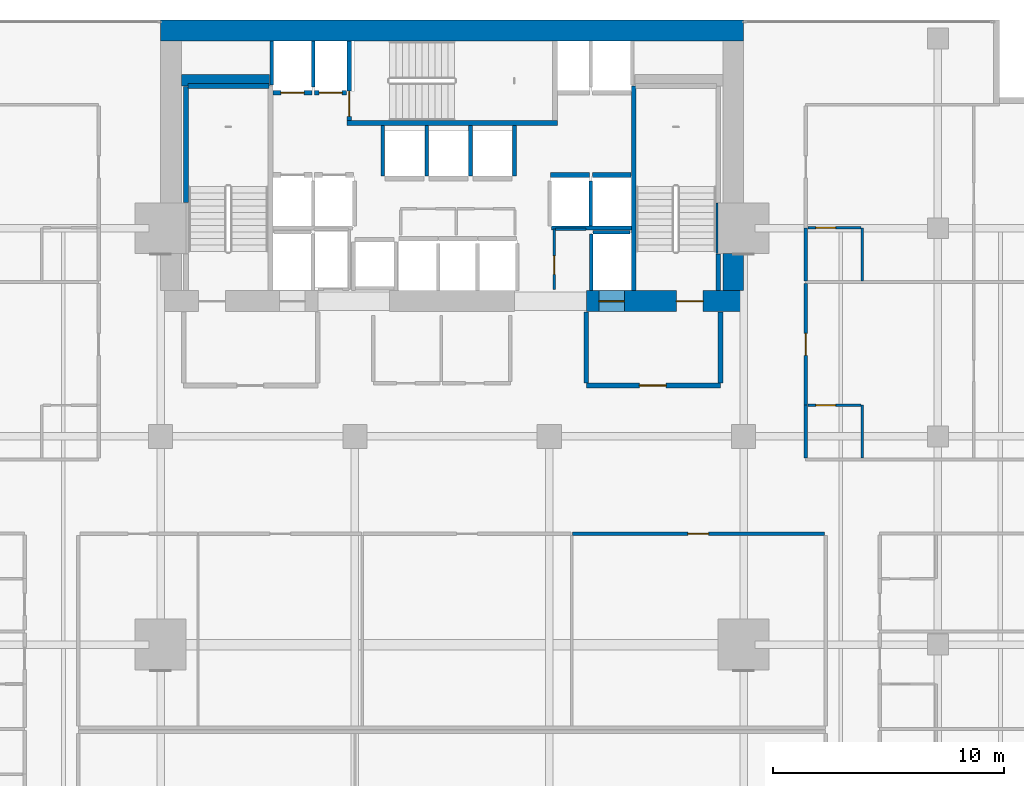
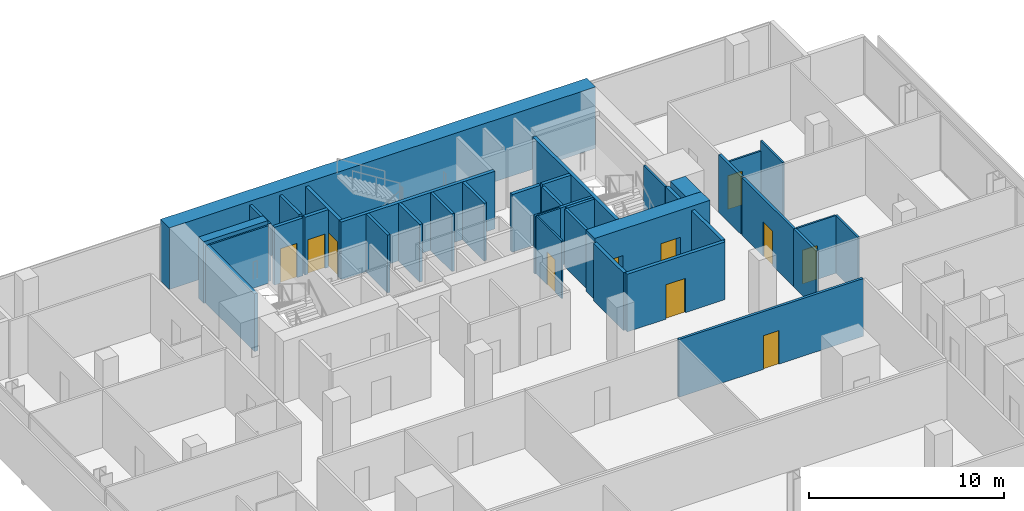
# One storey, part 37 of 40: 38 walls, 11 doors, 11 openings.
"""IFC4 building model written with IfcOpenShell, lengths in metres."""

import ifcopenshell
import ifcopenshell.guid

model = None  # the IFC model being written
_history = None  # IfcOwnerHistory: only IFC2X3 demands one
_inside = {}  # id of a spatial element -> (the spatial element, [elements in it])
_under = {}  # id of a project, library or spatial element -> (it, [spatial elements below it])
_declared = {}  # id of a project -> (the project, [libraries it declares])
_typed = {}  # id of a type object -> (the type object, [elements of that type])
_made_of = {}  # id of a material, layer set ... -> (it, [elements and type objects made of it])


def new_model(schema):
    """Start an empty IFC model of exactly this schema.

    Asked for "IFC4X3", IfcOpenShell would pick the latest addendum, in which some entities
    have other attributes; the version numbers below select the first issue.
    IFC2X3 requires an IfcOwnerHistory on every rooted entity: one is made here for all.
    """
    global model, _history
    if schema == "IFC4X3":
        model = ifcopenshell.file(schema_version=(4, 3, 0, 0))
    else:
        model = ifcopenshell.file(schema=schema)
    _inside.clear()
    _under.clear()
    _declared.clear()
    _typed.clear()
    _made_of.clear()
    _history = None
    if model.schema == "IFC2X3":
        org = make("IfcOrganization", Name="unknown")
        user = make(
            "IfcPersonAndOrganization",
            ThePerson=make("IfcPerson", FamilyName="unknown"),
            TheOrganization=org,
        )
        app = make(
            "IfcApplication",
            ApplicationDeveloper=org,
            Version="unknown",
            ApplicationFullName="unknown",
            ApplicationIdentifier="unknown",
        )
        _history = make(
            "IfcOwnerHistory",
            OwningUser=user,
            OwningApplication=app,
            ChangeAction="ADDED",
            CreationDate=0,
        )
    return model


def make(cls, **values):
    """One entity of the class cls with the attributes given. An attribute that is None is left unset."""
    return model.create_entity(
        cls, **{name: value for name, value in values.items() if value is not None}
    )


def rooted(cls, **values):
    """An entity with a GlobalId (a new one), such as an element, a storey or a relation."""
    return make(cls, GlobalId=ifcopenshell.guid.new(), OwnerHistory=_history, **values)


def si_unit(unit_type, name, prefix=None):
    """IfcSIUnit, for example si_unit("LENGTHUNIT", "METRE", prefix="MILLI")."""
    return make("IfcSIUnit", UnitType=unit_type, Prefix=prefix, Name=name)


def assignment(units):
    """IfcUnitAssignment: the units of a project."""
    return None if units is None else make("IfcUnitAssignment", Units=units)


def point(xyz):
    """IfcCartesianPoint."""
    return None if xyz is None else make("IfcCartesianPoint", Coordinates=xyz)


def direction(xyz):
    """IfcDirection."""
    return None if xyz is None else make("IfcDirection", DirectionRatios=xyz)


def frame(location, z_axis=None, x_axis=None):
    """IfcAxis2Placement3D, a coordinate frame: its origin and axes. An axis left out is left unset."""
    return make(
        "IfcAxis2Placement3D",
        Location=point(location),
        Axis=direction(z_axis),
        RefDirection=direction(x_axis),
    )


def frame_2d(location, x_axis=None):
    """IfcAxis2Placement2D, a coordinate frame in the plane: its origin and x axis."""
    return make(
        "IfcAxis2Placement2D", Location=point(location), RefDirection=direction(x_axis)
    )


def origin():
    """The frame at (0, 0, 0) with its axes left unset."""
    return frame((0.0, 0.0, 0.0))


def place(relative_to, where):
    """IfcLocalPlacement: puts the frame where relative to a parent placement (None: the world)."""
    return make(
        "IfcLocalPlacement", PlacementRelTo=relative_to, RelativePlacement=where
    )


def context(
    kind, dimensions, precision=None, world=None, true_north=None, identifier=None
):
    """IfcGeometricRepresentationContext, for example the 3D "Model" context."""
    return make(
        "IfcGeometricRepresentationContext",
        ContextIdentifier=identifier,
        ContextType=kind,
        CoordinateSpaceDimension=dimensions,
        Precision=precision,
        WorldCoordinateSystem=world,
        TrueNorth=true_north,
    )


def subcontext(parent, identifier, kind, view, scale=None):
    """IfcGeometricRepresentationSubContext, for example "Body" below "Model"."""
    return make(
        "IfcGeometricRepresentationSubContext",
        ContextIdentifier=identifier,
        ContextType=kind,
        ParentContext=parent,
        TargetScale=scale,
        TargetView=view,
    )


def project(units=None, contexts=None):
    """IfcProject with its units and contexts."""
    return rooted(
        "IfcProject",
        Name="project",
        RepresentationContexts=contexts,
        UnitsInContext=assignment(units),
    )


def spatial(cls, under=None, at=None, **own):
    """A site, building, storey or space (cls), placed at a placement, below another one or the project."""
    s = rooted(cls, ObjectPlacement=at, **own)
    if under is not None:
        _under.setdefault(under.id(), (under, []))[1].append(s)
    return s


def profile(cls, at=None, kind="AREA", **sizes):
    """A parametric profile (cls). Its sizes go by their IFC names, for example OverallWidth=200.0."""
    return make(cls, ProfileType=kind, Position=at, **sizes)


def rectangle(**sizes):
    """IfcRectangleProfileDef."""
    return profile("IfcRectangleProfileDef", **sizes)


def extrude(swept, where, along, depth):
    """IfcExtrudedAreaSolid: the profile swept, set in the frame where, extruded along a direction by depth."""
    return make(
        "IfcExtrudedAreaSolid",
        SweptArea=swept,
        Position=where,
        ExtrudedDirection=direction(along),
        Depth=depth,
    )


def shape(context_of_items, identifier, shape_type, items):
    """IfcShapeRepresentation: the items that make up one representation, for example the "Body"."""
    return make(
        "IfcShapeRepresentation",
        ContextOfItems=context_of_items,
        RepresentationIdentifier=identifier,
        RepresentationType=shape_type,
        Items=items,
    )


def material(Name=None, Category=None):
    """IfcMaterial."""
    return make("IfcMaterial", Name=Name, Category=Category)


def layer(
    of_material, thickness, ventilated=None, Name=None, Category=None, Priority=None
):
    """IfcMaterialLayer: one layer of a wall or slab, of a material (None: an air gap)."""
    return make(
        "IfcMaterialLayer",
        Material=of_material,
        LayerThickness=thickness,
        IsVentilated=ventilated,
        Name=Name,
        Category=Category,
        Priority=Priority,
    )


def layer_set(layers, Name=None):
    """IfcMaterialLayerSet."""
    return make("IfcMaterialLayerSet", MaterialLayers=layers, LayerSetName=Name)


def made_of(thing, what):
    """Note that an element or type object is made of a material, layer set ...; save() writes the relation."""
    if what is not None:
        _made_of.setdefault(what.id(), (what, []))[1].append(thing)
    return thing


def type_object(cls, material=None, **own):
    """A type object (cls), such as IfcWallType, which elements share."""
    return made_of(rooted(cls, **own), material)


def element(
    cls,
    number,
    at=None,
    inside=None,
    cuts=None,
    type_object=None,
    material=None,
    context=None,
    identifier="Body",
    shape_type=None,
    held_by="IfcProductDefinitionShape",
    body=None,
    shapes=None,
    **own,
):
    """One element of the class cls, such as IfcWall. Its Tag is "e" and its number.

    at: its placement. inside: the storey or other place that contains it. cuts: it is an
    opening in that element (IfcRelVoidsElement). A single representation is given by context,
    identifier, shape_type and body (its items); several are given by shapes. held_by: the class
    of the entity that holds the representations. save() writes the other relations.
    """
    e = rooted(cls, Tag="e%d" % number, ObjectPlacement=at, **own)
    if body is not None:
        shapes = [shape(context, identifier, shape_type, body)]
    if shapes is not None:
        e.Representation = make(held_by, Representations=shapes)
    if inside is not None:
        _inside.setdefault(inside.id(), (inside, []))[1].append(e)
    if cuts is not None:
        rooted(
            "IfcRelVoidsElement", RelatingBuildingElement=cuts, RelatedOpeningElement=e
        )
    if type_object is not None:
        _typed.setdefault(type_object.id(), (type_object, []))[1].append(e)
    return made_of(e, material)


def fill(opening, filler):
    """IfcRelFillsElement: the door or window that sits in an opening."""
    return rooted(
        "IfcRelFillsElement",
        RelatingOpeningElement=opening,
        RelatedBuildingElement=filler,
    )


def aggregate(whole, parts):
    """IfcRelAggregates: a whole, such as a stair, and the parts it consists of."""
    return rooted("IfcRelAggregates", RelatingObject=whole, RelatedObjects=parts)


def save(model, path):
    """Write the relations noted so far, then the file.

    IfcRelAggregates (storeys below a building ...), IfcRelContainedInSpatialStructure (elements
    in a storey), IfcRelDefinesByType, IfcRelAssociatesMaterial and IfcRelDeclares: one each for
    every whole, place, type object, material and project.
    """
    for whole, parts in _under.values():
        aggregate(whole, parts)
    for where, things in _inside.values():
        rooted(
            "IfcRelContainedInSpatialStructure",
            RelatedElements=things,
            RelatingStructure=where,
        )
    for kind, things in _typed.values():
        rooted("IfcRelDefinesByType", RelatedObjects=things, RelatingType=kind)
    for what, things in _made_of.values():
        rooted("IfcRelAssociatesMaterial", RelatedObjects=things, RelatingMaterial=what)
    for by, libraries in _declared.values():
        rooted("IfcRelDeclares", RelatingContext=by, RelatedDefinitions=libraries)
    model.write(path)


model = new_model("IFC4")

# Units and contexts
model_context = context("Model", 3, precision=1e-05, world=origin(), true_north=direction((0.0, 1.0)))
body_context = subcontext(model_context, "Body", "Model", "MODEL_VIEW")
ifc_project = project(units=[si_unit("LENGTHUNIT", "METRE"), si_unit("AREAUNIT", "SQUARE_METRE"), si_unit("VOLUMEUNIT", "CUBIC_METRE"), si_unit("PLANEANGLEUNIT", "RADIAN"), si_unit("MASSUNIT", "GRAM", prefix="KILO")], contexts=[model_context])

# Site, building, storey
site_placement = place(None, origin())
site = spatial("IfcSite", under=ifc_project, at=site_placement, CompositionType="ELEMENT")
building_placement = place(site_placement, origin())
building = spatial("IfcBuilding", under=site, at=building_placement, Name="Maruvema Waterfront Hotel and Observation Tower", CompositionType="ELEMENT")
storey_placement = place(building_placement, frame((0.0, 0.0, 38.5)))
storey = spatial("IfcBuildingStorey", under=building, at=storey_placement, Name="L08", CompositionType="ELEMENT", Elevation=38.5)

# Wall, opening, door
ifc_material_1 = material(Name="Twin-stud acoustic gypsum drywall", Category="gypsum")
ifc_layer_1 = layer(ifc_material_1, 0.14990234375, Name="Acoustic Corridor and Suite Demising Wall 150 mm")
ifc_layer_set_1 = layer_set([ifc_layer_1], Name="Twin-stud acoustic gypsum drywall")
wall_type_1 = type_object("IfcWallType", Name="Acoustic Corridor and Suite Demising Wall 150 mm", PredefinedType="PARTITIONING", material=ifc_layer_set_1)
wall_1_placement = place(storey_placement, frame((42.998046875, 31.800048828125, 0.0), z_axis=(0.0, 0.0, 1.0), x_axis=(1.0, 0.0, 0.0)))
wall_1 = element("IfcWall", 1, at=wall_1_placement, inside=storey, type_object=wall_type_1, Name="L08 L08-INTN Front 4 031", PredefinedType="PARTITIONING", context=body_context, shape_type="SweptSolid", body=[
    extrude(rectangle(XDim=10.891845703125, YDim=0.14990234375, at=frame_2d((5.44580078125, 0.0))), origin(), (0.0, 0.0, 1.0), 3.610107421875),
])
opening_1_placement = place(wall_1_placement, frame((4.99609375, 0.0, 0.0)))
opening_1 = element("IfcOpeningElement", 2, at=opening_1_placement, cuts=wall_1, Name="Opening DR-090", PredefinedType="OPENING", context=body_context, shape_type="SweptSolid", body=[
    extrude(rectangle(XDim=0.89990234375, YDim=2.10009765625, at=frame_2d((0.449951171875, 1.050048828125))), frame((0.0, 0.0849609375, 0.0), z_axis=(0.0, -1.0, 0.0), x_axis=(1.0, 0.0, 0.0)), (0.0, 0.0, 1.0), 0.169921875),
])
ifc_material_2 = material(Name="Solid-core lacquered timber leaf", Category="wood")
door_type_1 = type_object("IfcDoorType", Name="Accessible Toilet and Room Door 900x2100 mm", OperationType="NOTDEFINED", PredefinedType="DOOR", material=ifc_material_2)
door_1_placement = place(opening_1_placement, origin())
door_1 = element("IfcDoor", 3, at=door_1_placement, inside=storey, type_object=door_type_1, Name="L08 Housekeeping Linen Room Door", OperationType="SINGLE_SWING_RIGHT", OverallHeight=2.10009765625, OverallWidth=0.89990234375, PredefinedType="DOOR", context=body_context, shape_type="SweptSolid", body=[
    extrude(rectangle(XDim=0.89990234375, YDim=2.10009765625, at=frame_2d((0.449951171875, 1.050048828125))), frame((0.0, 0.02490234375, 0.0), z_axis=(0.0, -1.0, 0.0), x_axis=(1.0, 0.0, 0.0)), (0.0, 0.0, 1.0), 0.050048828125),
])
fill(opening_1, door_1)

# Wall
wall_2_placement = place(storey_placement, frame((53.080078125, 35.06005859375, 0.0), z_axis=(0.0, 0.0, 1.0), x_axis=(0.0, 1.0, 0.0)))
element("IfcWall", 4, at=wall_2_placement, inside=storey, type_object=wall_type_1, Name="L08 Bath L08-NE1 Wall 132", PredefinedType="PARTITIONING", context=body_context, shape_type="SweptSolid", body=[
    extrude(rectangle(XDim=2.2900390625, YDim=0.14990234375, at=frame_2d((1.14501953125, 0.0))), origin(), (0.0, 0.0, 1.0), 3.610107421875),
])

# Wall, opening, door
wall_3_placement = place(storey_placement, frame((53.080078125, 37.35009765625, 0.0), z_axis=(0.0, 0.0, 1.0), x_axis=(0.0, 1.0, 0.0)))
wall_3 = element("IfcWall", 5, at=wall_3_placement, inside=storey, type_object=wall_type_1, Name="L08 Room L08-NE1 Corridor Wall 133", PredefinedType="PARTITIONING", context=body_context, shape_type="SweptSolid", body=[
    extrude(rectangle(XDim=5.2587890625, YDim=0.14990234375, at=frame_2d((2.62939453125, 0.0))), origin(), (0.0, 0.0, 1.0), 3.610107421875),
])
opening_2_placement = place(wall_3_placement, frame((2.154296875, 0.0, 0.0)))
opening_2 = element("IfcOpeningElement", 6, at=opening_2_placement, cuts=wall_3, Name="Opening DR-095", PredefinedType="OPENING", context=body_context, shape_type="SweptSolid", body=[
    extrude(rectangle(XDim=0.949951171875, YDim=2.14990234375, at=frame_2d((0.47509765625, 1.074951171875))), frame((0.0, 0.0849609375, 0.0), z_axis=(0.0, -1.0, 0.0), x_axis=(1.0, 0.0, 0.0)), (0.0, 0.0, 1.0), 0.169921875),
])
ifc_material_3 = material(Name="Acoustic solid-core hardwood timber leaf", Category="wood")
door_type_2 = type_object("IfcDoorType", Name="Guestroom Entrance Fire Door 950x2150 mm", OperationType="NOTDEFINED", PredefinedType="DOOR", material=ifc_material_3)
door_2_placement = place(opening_2_placement, frame((0.949951171875, 0.0, 0.0), z_axis=(0.0, 0.0, 1.0), x_axis=(-1.0, 0.0, 0.0)))
door_2 = element("IfcDoor", 7, at=door_2_placement, inside=storey, type_object=door_type_2, Name="L08 Room L08-NE1 Entrance Door", OperationType="SINGLE_SWING_LEFT", OverallHeight=2.14990234375, OverallWidth=0.949951171875, PredefinedType="DOOR", context=body_context, shape_type="SweptSolid", body=[
    extrude(rectangle(XDim=0.949951171875, YDim=2.14990234375, at=frame_2d((0.47509765625, 1.074951171875))), frame((0.0, 0.02490234375, 0.0), z_axis=(0.0, -1.0, 0.0), x_axis=(1.0, 0.0, 0.0)), (0.0, 0.0, 1.0), 0.050048828125),
])
fill(opening_2, door_2)

# Walls
wall_4_placement = place(storey_placement, frame((53.080078125, 42.728759765625, 0.0), z_axis=(0.0, 0.0, 1.0), x_axis=(0.0, 1.0, 0.0)))
element("IfcWall", 8, at=wall_4_placement, inside=storey, type_object=wall_type_1, Name="L08 Bath L08-NE2 Wall 144", PredefinedType="PARTITIONING", context=body_context, shape_type="SweptSolid", body=[
    extrude(rectangle(XDim=2.2900390625, YDim=0.14990234375, at=frame_2d((1.14501953125, 0.0))), origin(), (0.0, 0.0, 1.0), 3.610107421875),
])
ifc_material_4 = material(Name="Precast concrete C45/55", Category="concrete")
ifc_layer_2 = layer(ifc_material_4, 0.199951171875, Name="Core Shaft and Stairwell Enclosure Wall 200 mm")
ifc_layer_set_2 = layer_set([ifc_layer_2], Name="Precast concrete C45/55")
wall_type_2 = type_object("IfcWallType", Name="Core Shaft and Stairwell Enclosure Wall 200 mm", PredefinedType="SOLIDWALL", material=ifc_layer_set_2)
wall_5_placement = place(storey_placement, frame((26.300048828125, 46.1201171875, 0.0), z_axis=(0.0, 0.0, 1.0), x_axis=(0.0, 1.0, 0.0)))
element("IfcWall", 9, at=wall_5_placement, inside=storey, type_object=wall_type_2, Name="L08 Stairwell ST-01 Shaft Lining Wall", PredefinedType="SOLIDWALL", context=body_context, shape_type="SweptSolid", body=[
    extrude(rectangle(XDim=5.0, YDim=0.199951171875, at=frame_2d((2.5, 0.0))), origin(), (0.0, 0.0, 1.0), 3.610107421875),
])
wall_6_placement = place(storey_placement, frame((26.3798828125, 51.14990234375, 0.0), z_axis=(0.0, 0.0, 1.0), x_axis=(1.0, 0.0, 0.0)))
element("IfcWall", 10, at=wall_6_placement, inside=storey, type_object=wall_type_2, Name="L08 Stairwell ST-01 Shaft Lining Wall", PredefinedType="SOLIDWALL", context=body_context, shape_type="SweptSolid", body=[
    extrude(rectangle(XDim=3.5, YDim=0.199951171875, at=frame_2d((1.75, 0.0))), origin(), (0.0, 0.0, 1.0), 3.610107421875),
])
wall_7_placement = place(storey_placement, frame((33.25, 49.550048828125, 0.0), z_axis=(0.0, 0.0, 1.0), x_axis=(1.0, 0.0, 0.0)))
element("IfcWall", 11, at=wall_7_placement, inside=storey, type_object=wall_type_2, Name="L08 Stairwell ST-02 Shaft Wall", PredefinedType="SOLIDWALL", context=body_context, shape_type="SweptSolid", body=[
    extrude(rectangle(XDim=9.10009765625, YDim=0.199951171875, at=frame_2d((4.550048828125, 0.0))), origin(), (0.0, 0.0, 1.0), 3.610107421875),
])

# Wall, opening, door
wall_8_placement = place(storey_placement, frame((33.35009765625, 49.64990234375, 0.0), z_axis=(0.0, 0.0, 1.0), x_axis=(0.0, 1.0, 0.0)))
wall_8 = element("IfcWall", 12, at=wall_8_placement, inside=storey, type_object=wall_type_2, Name="L08 Stairwell ST-02 Shaft Wall", PredefinedType="SOLIDWALL", context=body_context, shape_type="SweptSolid", body=[
    extrude(rectangle(XDim=3.4501953125, YDim=0.199951171875, at=frame_2d((1.72509765625, 0.0))), origin(), (0.0, 0.0, 1.0), 3.610107421875),
])
opening_3_placement = place(wall_8_placement, frame((0.179931640625, 0.0, 0.0)))
opening_3 = element("IfcOpeningElement", 13, at=opening_3_placement, cuts=wall_8, Name="Opening SD-02", PredefinedType="OPENING", context=body_context, shape_type="SweptSolid", body=[
    extrude(rectangle(XDim=1.10009765625, YDim=2.14990234375, at=frame_2d((0.550048828125, 1.074951171875))), frame((0.0, 0.10986328125, 0.0), z_axis=(0.0, -1.0, 0.0), x_axis=(1.0, 0.0, 0.0)), (0.0, 0.0, 1.0), 0.219970703125),
])
ifc_material_5 = material(Name="Fire-rated galvanised steel leaf", Category="steel")
door_type_3 = type_object("IfcDoorType", Name="Central Exit Stair Fire Door 1100x2150 mm", OperationType="NOTDEFINED", PredefinedType="DOOR", material=ifc_material_5)
door_3_placement = place(opening_3_placement, frame((1.10009765625, 0.0, 0.0), z_axis=(0.0, 0.0, 1.0), x_axis=(-1.0, 0.0, 0.0)))
door_3 = element("IfcDoor", 14, at=door_3_placement, inside=storey, type_object=door_type_3, Name="L08 Exit Stair ST-02 Fire Door", OperationType="SINGLE_SWING_LEFT", OverallHeight=2.14990234375, OverallWidth=1.10009765625, PredefinedType="DOOR", context=body_context, shape_type="SweptSolid", body=[
    extrude(rectangle(XDim=1.10009765625, YDim=2.14990234375, at=frame_2d((0.550048828125, 1.074951171875))), frame((0.0, 0.02490234375, 0.0), z_axis=(0.0, -1.0, 0.0), x_axis=(1.0, 0.0, 0.0)), (0.0, 0.0, 1.0), 0.050048828125),
])
fill(opening_3, door_3)

# Walls
wall_9_placement = place(storey_placement, frame((45.64990234375, 42.300048828125, 0.0), z_axis=(0.0, 0.0, 1.0), x_axis=(0.0, 1.0, 0.0)))
element("IfcWall", 15, at=wall_9_placement, inside=storey, type_object=wall_type_2, Name="L08 Stairwell ST-03 West Shaft Wall", PredefinedType="SOLIDWALL", context=body_context, shape_type="SweptSolid", body=[
    extrude(rectangle(XDim=8.849853515625, YDim=0.199951171875, at=frame_2d((4.4248046875, 0.0))), origin(), (0.0, 0.0, 1.0), 3.610107421875),
])
wall_10_placement = place(storey_placement, frame((49.300048828125, 42.300048828125, 0.0), z_axis=(0.0, 0.0, 1.0), x_axis=(0.0, 1.0, 0.0)))
element("IfcWall", 16, at=wall_10_placement, inside=storey, type_object=wall_type_2, Name="L08 Stairwell ST-03 Shaft Lining Wall", PredefinedType="SOLIDWALL", context=body_context, shape_type="SweptSolid", body=[
    extrude(rectangle(XDim=1.579833984375, YDim=0.199951171875, at=frame_2d((0.7900390625, 0.0))), origin(), (0.0, 0.0, 1.0), 3.610107421875),
])

# Wall, opening, door
wall_11_placement = place(storey_placement, frame((30.06005859375, 50.85009765625, 0.0), z_axis=(0.0, 0.0, 1.0), x_axis=(1.0, 0.0, 0.0)))
wall_11 = element("IfcWall", 17, at=wall_11_placement, inside=storey, type_object=wall_type_2, Name="L08 Lift LF-03 Hoistway Front Wall", PredefinedType="SOLIDWALL", context=body_context, shape_type="SweptSolid", body=[
    extrude(rectangle(XDim=1.679931640625, YDim=0.199951171875, at=frame_2d((0.83984375, 0.0))), origin(), (0.0, 0.0, 1.0), 3.610107421875),
])
opening_4_placement = place(wall_11_placement, frame((0.340087890625, 0.0, 0.0)))
opening_4 = element("IfcOpeningElement", 18, at=opening_4_placement, cuts=wall_11, Name="Opening LD-01", PredefinedType="OPENING", context=body_context, shape_type="SweptSolid", body=[
    extrude(rectangle(XDim=1.0, YDim=2.14990234375, at=frame_2d((0.5, 1.074951171875))), frame((0.0, 0.10986328125, 0.0), z_axis=(0.0, -1.0, 0.0), x_axis=(1.0, 0.0, 0.0)), (0.0, 0.0, 1.0), 0.219970703125),
])
ifc_material_6 = material(Name="Brushed stainless steel Grade 316", Category="steel")
door_type_4 = type_object("IfcDoorType", Name="Passenger Lift Sliding Landing Door 1000x2150 mm", OperationType="SLIDING_TO_LEFT", PredefinedType="DOOR", material=ifc_material_6)
door_4_placement = place(opening_4_placement, frame((1.0, 0.0, 0.0), z_axis=(0.0, 0.0, 1.0), x_axis=(-1.0, 0.0, 0.0)))
door_4 = element("IfcDoor", 19, at=door_4_placement, inside=storey, type_object=door_type_4, Name="L08 Lift LF-03 Sliding Landing Door", OperationType="SLIDING_TO_LEFT", OverallHeight=2.14990234375, OverallWidth=1.0, PredefinedType="DOOR", context=body_context, shape_type="SweptSolid", body=[
    extrude(rectangle(XDim=1.0, YDim=2.14990234375, at=frame_2d((0.5, 1.074951171875))), frame((0.0, 0.02490234375, 0.0), z_axis=(0.0, -1.0, 0.0), x_axis=(1.0, 0.0, 0.0)), (0.0, 0.0, 1.0), 0.050048828125),
])
fill(opening_4, door_4)

wall_12_placement = place(storey_placement, frame((31.860107421875, 50.85009765625, 0.0), z_axis=(0.0, 0.0, 1.0), x_axis=(1.0, 0.0, 0.0)))
wall_12 = element("IfcWall", 20, at=wall_12_placement, inside=storey, type_object=wall_type_2, Name="L08 Lift LF-04 Hoistway Front Wall", PredefinedType="SOLIDWALL", context=body_context, shape_type="SweptSolid", body=[
    extrude(rectangle(XDim=1.3798828125, YDim=0.199951171875, at=frame_2d((0.68994140625, 0.0))), origin(), (0.0, 0.0, 1.0), 3.610107421875),
])
opening_5_placement = place(wall_12_placement, frame((0.18994140625, 0.0, 0.0)))
opening_5 = element("IfcOpeningElement", 21, at=opening_5_placement, cuts=wall_12, Name="Opening LD-01", PredefinedType="OPENING", context=body_context, shape_type="SweptSolid", body=[
    extrude(rectangle(XDim=1.0, YDim=2.14990234375, at=frame_2d((0.5, 1.074951171875))), frame((0.0, 0.10986328125, 0.0), z_axis=(0.0, -1.0, 0.0), x_axis=(1.0, 0.0, 0.0)), (0.0, 0.0, 1.0), 0.219970703125),
])
door_5_placement = place(opening_5_placement, frame((1.0, 0.0, 0.0), z_axis=(0.0, 0.0, 1.0), x_axis=(-1.0, 0.0, 0.0)))
door_5 = element("IfcDoor", 22, at=door_5_placement, inside=storey, type_object=door_type_4, Name="L08 Lift LF-04 Sliding Landing Door", OperationType="SLIDING_TO_LEFT", OverallHeight=2.14990234375, OverallWidth=1.0, PredefinedType="DOOR", context=body_context, shape_type="SweptSolid", body=[
    extrude(rectangle(XDim=1.0, YDim=2.14990234375, at=frame_2d((0.5, 1.074951171875))), frame((0.0, 0.02490234375, 0.0), z_axis=(0.0, -1.0, 0.0), x_axis=(1.0, 0.0, 0.0)), (0.0, 0.0, 1.0), 0.050048828125),
])
fill(opening_5, door_5)

# Walls
for number, where, z_axis, x_axis, name in (
    (23, (42.06005859375, 47.300048828125, 0.0), (0.0, 0.0, 1.0), (1.0, 0.0, 0.0), "L08 Lift LF-05 Hoistway Front Wall"),
    (24, (43.860107421875, 47.300048828125, 0.0), (0.0, 0.0, 1.0), (1.0, 0.0, 0.0), "L08 Lift LF-06 Hoistway Front Wall"),
):
    element("IfcWall", number, at=place(storey_placement, frame(where, z_axis=z_axis, x_axis=x_axis)), inside=storey, type_object=wall_type_2, Name=name, PredefinedType="SOLIDWALL", context=body_context, shape_type="SweptSolid", body=[
        extrude(rectangle(XDim=1.679931640625, YDim=0.199951171875, at=frame_2d((0.83984375, 0.0))), origin(), (0.0, 0.0, 1.0), 3.610107421875),
    ])
ifc_material_7 = material(Name="Concrete C70/85", Category="concrete")
ifc_layer_3 = layer(ifc_material_7, 0.5, Name="Core Shear Wall 500 mm")
ifc_layer_set_3 = layer_set([ifc_layer_3], Name="Concrete C70/85")
wall_type_3 = type_object("IfcWallType", Name="Core Shear Wall 500 mm", PredefinedType="SHEAR", material=ifc_layer_set_3)
wall_13_placement = place(storey_placement, frame((26.10009765625, 51.39990234375, 0.0), z_axis=(0.0, 0.0, 1.0), x_axis=(1.0, 0.0, 0.0)))
element("IfcWall", 25, at=wall_13_placement, inside=storey, type_object=wall_type_3, Name="L08 Internal Core Shear Wall NW 500 mm", PredefinedType="SHEAR", context=body_context, shape_type="SweptSolid", body=[
    extrude(rectangle(XDim=3.7998046875, YDim=0.5, at=frame_2d((1.89990234375, 0.0))), origin(), (0.0, 0.0, 1.0), 3.85009765625),
])
ifc_material_8 = material(Name="Concrete C80/95", Category="concrete")
ifc_layer_4 = layer(ifc_material_8, 0.89990234375, Name="Core Shear Wall 900 mm")
ifc_layer_set_4 = layer_set([ifc_layer_4], Name="Concrete C80/95")
wall_type_4 = type_object("IfcWallType", Name="Core Shear Wall 900 mm", PredefinedType="SHEAR", material=ifc_layer_set_4)
wall_14_placement = place(storey_placement, frame((25.199951171875, 53.550048828125, 0.0), z_axis=(0.0, 0.0, 1.0), x_axis=(1.0, 0.0, 0.0)))
element("IfcWall", 26, at=wall_14_placement, inside=storey, type_object=wall_type_4, Name="L08 North Core Shear Wall", PredefinedType="SHEAR", context=body_context, shape_type="SweptSolid", body=[
    extrude(rectangle(XDim=25.199951171875, YDim=0.89990234375, at=frame_2d((12.60009765625, 0.0))), origin(), (0.0, 0.0, 1.0), 3.85009765625),
])

# Wall, openings, doors
wall_15_placement = place(storey_placement, frame((43.60009765625, 41.85009765625, 0.0), z_axis=(0.0, 0.0, 1.0), x_axis=(1.0, 0.0, 0.0)))
wall_15 = element("IfcWall", 27, at=wall_15_placement, inside=storey, type_object=wall_type_4, Name="L08 South-East Core Shear Wall", PredefinedType="SHEAR", context=body_context, shape_type="SweptSolid", body=[
    extrude(rectangle(XDim=6.7998046875, YDim=0.89990234375, at=frame_2d((3.39990234375, 0.0))), origin(), (0.0, 0.0, 1.0), 3.85009765625),
])
opening_6_placement = place(wall_15_placement, frame((3.89990234375, 0.0, 0.0)))
opening_6 = element("IfcOpeningElement", 28, at=opening_6_placement, cuts=wall_15, Name="Opening SD-01", PredefinedType="OPENING", context=body_context, shape_type="SweptSolid", body=[
    extrude(rectangle(XDim=1.14990234375, YDim=2.14990234375, at=frame_2d((0.574951171875, 1.074951171875))), frame((0.0, 0.4599609375, 0.0), z_axis=(0.0, -1.0, 0.0), x_axis=(1.0, 0.0, 0.0)), (0.0, 0.0, 1.0), 0.919921875),
])
opening_7_placement = place(wall_15_placement, frame((0.550048828125, 0.0, 0.0)))
opening_7 = element("IfcOpeningElement", 29, at=opening_7_placement, cuts=wall_15, Name="Opening LD-03", PredefinedType="OPENING", context=body_context, shape_type="SweptSolid", body=[
    extrude(rectangle(XDim=1.10009765625, YDim=2.199951171875, at=frame_2d((0.550048828125, 1.10009765625))), frame((0.0, 0.4599609375, 0.0), z_axis=(0.0, -1.0, 0.0), x_axis=(1.0, 0.0, 0.0)), (0.0, 0.0, 1.0), 0.919921875),
])
ifc_material_9 = material(Name="Fire-rated galvanised steel leaf", Category="steel")
door_type_5 = type_object("IfcDoorType", Name="Exit Stair Fire Door 1150x2150 mm", OperationType="NOTDEFINED", PredefinedType="DOOR", material=ifc_material_9)
door_6_placement = place(opening_6_placement, origin())
door_6 = element("IfcDoor", 30, at=door_6_placement, inside=storey, type_object=door_type_5, Name="L08 Exit Stair ST-03 Fire Door", OperationType="SINGLE_SWING_RIGHT", OverallHeight=2.14990234375, OverallWidth=1.14990234375, PredefinedType="DOOR", context=body_context, shape_type="SweptSolid", body=[
    extrude(rectangle(XDim=1.14990234375, YDim=2.14990234375, at=frame_2d((0.574951171875, 1.074951171875))), frame((0.0, 0.02490234375, 0.0), z_axis=(0.0, -1.0, 0.0), x_axis=(1.0, 0.0, 0.0)), (0.0, 0.0, 1.0), 0.050048828125),
])
fill(opening_6, door_6)
ifc_material_10 = material(Name="Brushed stainless steel Grade 316", Category="steel")
door_type_6 = type_object("IfcDoorType", Name="Firefighting Lift Sliding Landing Door 1100x2200 mm", OperationType="SLIDING_TO_LEFT", PredefinedType="DOOR", material=ifc_material_10)
door_7_placement = place(opening_7_placement, frame((1.10009765625, 0.0, 0.0), z_axis=(0.0, 0.0, 1.0), x_axis=(-1.0, 0.0, 0.0)))
door_7 = element("IfcDoor", 31, at=door_7_placement, inside=storey, type_object=door_type_6, Name="L08 Firefighting Lift FL-02 Landing Door", OperationType="SLIDING_TO_LEFT", OverallHeight=2.199951171875, OverallWidth=1.10009765625, PredefinedType="DOOR", context=body_context, shape_type="SweptSolid", body=[
    extrude(rectangle(XDim=1.10009765625, YDim=2.199951171875, at=frame_2d((0.550048828125, 1.10009765625))), frame((0.0, 0.02490234375, 0.0), z_axis=(0.0, -1.0, 0.0), x_axis=(1.0, 0.0, 0.0)), (0.0, 0.0, 1.0), 0.050048828125),
])
fill(opening_7, door_7)

# Wall
wall_16_placement = place(storey_placement, frame((49.949951171875, 42.300048828125, 0.0), z_axis=(0.0, 0.0, 1.0), x_axis=(0.0, 1.0, 0.0)))
element("IfcWall", 32, at=wall_16_placement, inside=storey, type_object=wall_type_4, Name="L08 East-South Core Shear Wall", PredefinedType="SHEAR", context=body_context, shape_type="SweptSolid", body=[
    extrude(rectangle(XDim=1.599853515625, YDim=0.89990234375, at=frame_2d((0.7998046875, 0.0))), origin(), (0.0, 0.0, 1.0), 3.85009765625),
])

# Wall, opening, door
ifc_material_11 = material(Name="Moisture-resistant cement-board drywall", Category="gypsum")
ifc_layer_5 = layer(ifc_material_11, 0.10009765625, Name="En-Suite Moisture-Resistant Partition 100 mm")
ifc_layer_set_5 = layer_set([ifc_layer_5], Name="Moisture-resistant cement-board drywall")
wall_type_5 = type_object("IfcWallType", Name="En-Suite Moisture-Resistant Partition 100 mm", PredefinedType="PARTITIONING", material=ifc_layer_set_5)
wall_17_placement = place(storey_placement, frame((42.219970703125, 42.35009765625, 0.0), z_axis=(0.0, 0.0, 1.0), x_axis=(0.0, 1.0, 0.0)))
wall_17 = element("IfcWall", 33, at=wall_17_placement, inside=storey, type_object=wall_type_5, Name="L08 Core Closet K2C West 015", PredefinedType="PARTITIONING", context=body_context, shape_type="SweptSolid", body=[
    extrude(rectangle(XDim=2.60986328125, YDim=0.10009765625, at=frame_2d((1.304931640625, 0.0))), origin(), (0.0, 0.0, 1.0), 3.610107421875),
])
opening_8_placement = place(wall_17_placement, frame((0.64990234375, 0.0, 0.0)))
opening_8 = element("IfcOpeningElement", 34, at=opening_8_placement, cuts=wall_17, Name="Opening DR-080", PredefinedType="OPENING", context=body_context, shape_type="SweptSolid", body=[
    extrude(rectangle(XDim=0.800048828125, YDim=2.050048828125, at=frame_2d((0.39990234375, 1.02490234375))), frame((0.0, 0.06005859375, 0.0), z_axis=(0.0, -1.0, 0.0), x_axis=(1.0, 0.0, 0.0)), (0.0, 0.0, 1.0), 0.1201171875),
])
ifc_material_12 = material(Name="Powder-coated steel access leaf", Category="steel")
door_type_7 = type_object("IfcDoorType", Name="Riser and Service Cupboard Door 800x2050 mm", OperationType="NOTDEFINED", PredefinedType="DOOR", material=ifc_material_12)
door_8_placement = place(opening_8_placement, frame((0.800048828125, 0.0, 0.0), z_axis=(0.0, 0.0, 1.0), x_axis=(-1.0, 0.0, 0.0)))
door_8 = element("IfcDoor", 35, at=door_8_placement, inside=storey, type_object=door_type_7, Name="L08 Core Housekeeping Closet Door", OperationType="SINGLE_SWING_RIGHT", OverallHeight=2.050048828125, OverallWidth=0.800048828125, PredefinedType="DOOR", context=body_context, shape_type="SweptSolid", body=[
    extrude(rectangle(XDim=0.800048828125, YDim=2.050048828125, at=frame_2d((0.39990234375, 1.02490234375))), frame((0.0, 0.02490234375, 0.0), z_axis=(0.0, -1.0, 0.0), x_axis=(1.0, 0.0, 0.0)), (0.0, 0.0, 1.0), 0.050048828125),
])
fill(opening_8, door_8)

# Walls
wall_18_placement = place(storey_placement, frame((42.280029296875, 44.9599609375, 0.0), z_axis=(0.0, 0.0, 1.0), x_axis=(1.0, 0.0, 0.0)))
element("IfcWall", 36, at=wall_18_placement, inside=storey, type_object=wall_type_5, Name="L08 Core Closet K2C North 016", PredefinedType="PARTITIONING", context=body_context, shape_type="SweptSolid", body=[
    extrude(rectangle(XDim=1.300048828125, YDim=0.10009765625, at=frame_2d((0.64990234375, 0.0))), origin(), (0.0, 0.0, 1.0), 3.610107421875),
])
wall_19_placement = place(storey_placement, frame((55.530029296875, 35.06005859375, 0.0), z_axis=(0.0, 0.0, 1.0), x_axis=(0.0, 1.0, 0.0)))
element("IfcWall", 37, at=wall_19_placement, inside=storey, type_object=wall_type_5, Name="L08 En-Suite L08-NE1 E 134", PredefinedType="PARTITIONING", context=body_context, shape_type="SweptSolid", body=[
    extrude(rectangle(XDim=2.2900390625, YDim=0.10009765625, at=frame_2d((1.14501953125, 0.0))), origin(), (0.0, 0.0, 1.0), 3.610107421875),
])

# Wall, opening, door
wall_20_placement = place(storey_placement, frame((53.179931640625, 37.35009765625, 0.0), z_axis=(0.0, 0.0, 1.0), x_axis=(1.0, 0.0, 0.0)))
wall_20 = element("IfcWall", 38, at=wall_20_placement, inside=storey, type_object=wall_type_5, Name="L08 En-Suite L08-NE1 N 135", PredefinedType="PARTITIONING", context=body_context, shape_type="SweptSolid", body=[
    extrude(rectangle(XDim=2.300048828125, YDim=0.10009765625, at=frame_2d((1.14990234375, 0.0))), origin(), (0.0, 0.0, 1.0), 3.610107421875),
])
opening_9_placement = place(wall_20_placement, frame((0.35009765625, 0.0, 0.0)))
opening_9 = element("IfcOpeningElement", 39, at=opening_9_placement, cuts=wall_20, Name="Opening DR-085", PredefinedType="OPENING", context=body_context, shape_type="SweptSolid", body=[
    extrude(rectangle(XDim=0.85009765625, YDim=2.10009765625, at=frame_2d((0.425048828125, 1.050048828125))), frame((0.0, 0.06005859375, 0.0), z_axis=(0.0, -1.0, 0.0), x_axis=(1.0, 0.0, 0.0)), (0.0, 0.0, 1.0), 0.1201171875),
])
ifc_material_13 = material(Name="Moisture-resistant solid timber leaf", Category="wood")
door_type_8 = type_object("IfcDoorType", Name="En-Suite Bathroom Door 850x2100 mm", OperationType="NOTDEFINED", PredefinedType="DOOR", material=ifc_material_13)
door_9_placement = place(opening_9_placement, origin())
door_9 = element("IfcDoor", 40, at=door_9_placement, inside=storey, type_object=door_type_8, Name="L08 En-Suite L08-NE1 Door", OperationType="SINGLE_SWING_RIGHT", OverallHeight=2.10009765625, OverallWidth=0.85009765625, PredefinedType="DOOR", context=body_context, shape_type="SweptSolid", body=[
    extrude(rectangle(XDim=0.85009765625, YDim=2.10009765625, at=frame_2d((0.425048828125, 1.050048828125))), frame((0.0, 0.02490234375, 0.0), z_axis=(0.0, -1.0, 0.0), x_axis=(1.0, 0.0, 0.0)), (0.0, 0.0, 1.0), 0.050048828125),
])
fill(opening_9, door_9)

# Wall
wall_21_placement = place(storey_placement, frame((55.530029296875, 42.728759765625, 0.0), z_axis=(0.0, 0.0, 1.0), x_axis=(0.0, 1.0, 0.0)))
element("IfcWall", 41, at=wall_21_placement, inside=storey, type_object=wall_type_5, Name="L08 En-Suite L08-NE2 E 146", PredefinedType="PARTITIONING", context=body_context, shape_type="SweptSolid", body=[
    extrude(rectangle(XDim=2.2900390625, YDim=0.10009765625, at=frame_2d((1.14501953125, 0.0))), origin(), (0.0, 0.0, 1.0), 3.610107421875),
])

# Wall, opening, door
wall_22_placement = place(storey_placement, frame((53.179931640625, 45.018798828125, 0.0), z_axis=(0.0, 0.0, 1.0), x_axis=(1.0, 0.0, 0.0)))
wall_22 = element("IfcWall", 42, at=wall_22_placement, inside=storey, type_object=wall_type_5, Name="L08 En-Suite L08-NE2 N 147", PredefinedType="PARTITIONING", context=body_context, shape_type="SweptSolid", body=[
    extrude(rectangle(XDim=2.300048828125, YDim=0.10009765625, at=frame_2d((1.14990234375, 0.0))), origin(), (0.0, 0.0, 1.0), 2.988037109375),
])
opening_10_placement = place(wall_22_placement, frame((0.35009765625, 0.0, 0.0)))
opening_10 = element("IfcOpeningElement", 43, at=opening_10_placement, cuts=wall_22, Name="Opening DR-085", PredefinedType="OPENING", context=body_context, shape_type="SweptSolid", body=[
    extrude(rectangle(XDim=0.85009765625, YDim=2.10009765625, at=frame_2d((0.425048828125, 1.050048828125))), frame((0.0, 0.06005859375, 0.0), z_axis=(0.0, -1.0, 0.0), x_axis=(1.0, 0.0, 0.0)), (0.0, 0.0, 1.0), 0.1201171875),
])
door_10_placement = place(opening_10_placement, origin())
door_10 = element("IfcDoor", 44, at=door_10_placement, inside=storey, type_object=door_type_8, Name="L08 En-Suite L08-NE2 Door", OperationType="SINGLE_SWING_RIGHT", OverallHeight=2.10009765625, OverallWidth=0.85009765625, PredefinedType="DOOR", context=body_context, shape_type="SweptSolid", body=[
    extrude(rectangle(XDim=0.85009765625, YDim=2.10009765625, at=frame_2d((0.425048828125, 1.050048828125))), frame((0.0, 0.02490234375, 0.0), z_axis=(0.0, -1.0, 0.0), x_axis=(1.0, 0.0, 0.0)), (0.0, 0.0, 1.0), 0.050048828125),
])
fill(opening_10, door_10)

ifc_material_14 = material(Name="Autoclaved cellular concrete blockwork", Category="masonry")
ifc_layer_6 = layer(ifc_material_14, 0.199951171875, Name="Fire Compartment Masonry Wall 200 mm")
ifc_layer_set_6 = layer_set([ifc_layer_6], Name="Autoclaved cellular concrete blockwork")
wall_type_6 = type_object("IfcWallType", Name="Fire Compartment Masonry Wall 200 mm", PredefinedType="PARTITIONING", material=ifc_layer_set_6)
wall_23_placement = place(storey_placement, frame((43.60009765625, 38.199951171875, 0.0), z_axis=(0.0, 0.0, 1.0), x_axis=(1.0, 0.0, 0.0)))
wall_23 = element("IfcWall", 45, at=wall_23_placement, inside=storey, type_object=wall_type_6, Name="L08 FFL East South Wall 004", PredefinedType="PARTITIONING", context=body_context, shape_type="SweptSolid", body=[
    extrude(rectangle(XDim=5.7998046875, YDim=0.199951171875, at=frame_2d((2.89990234375, 0.0))), origin(), (0.0, 0.0, 1.0), 3.610107421875),
])
opening_11_placement = place(wall_23_placement, frame((2.300048828125, 0.0, 0.0)))
opening_11 = element("IfcOpeningElement", 46, at=opening_11_placement, cuts=wall_23, Name="Opening FD-115", PredefinedType="OPENING", context=body_context, shape_type="SweptSolid", body=[
    extrude(rectangle(XDim=1.14990234375, YDim=2.14990234375, at=frame_2d((0.574951171875, 1.074951171875))), frame((0.0, 0.10986328125, 0.0), z_axis=(0.0, -1.0, 0.0), x_axis=(1.0, 0.0, 0.0)), (0.0, 0.0, 1.0), 0.219970703125),
])
ifc_material_15 = material(Name="Fire-rated galvanised steel and vision glass", Category="steel")
door_type_9 = type_object("IfcDoorType", Name="Firefighting Lobby Fire Door 1150x2150 mm", OperationType="NOTDEFINED", PredefinedType="DOOR", material=ifc_material_15)
door_11_placement = place(opening_11_placement, frame((1.14990234375, 0.0, 0.0), z_axis=(0.0, 0.0, 1.0), x_axis=(-1.0, 0.0, 0.0)))
door_11 = element("IfcDoor", 47, at=door_11_placement, inside=storey, type_object=door_type_9, Name="L08 Firefighting Lobby East Door", OperationType="SINGLE_SWING_RIGHT", OverallHeight=2.14990234375, OverallWidth=1.14990234375, PredefinedType="DOOR", context=body_context, shape_type="SweptSolid", body=[
    extrude(rectangle(XDim=1.14990234375, YDim=2.14990234375, at=frame_2d((0.574951171875, 1.074951171875))), frame((0.0, 0.02490234375, 0.0), z_axis=(0.0, -1.0, 0.0), x_axis=(1.0, 0.0, 0.0)), (0.0, 0.0, 1.0), 0.050048828125),
])
fill(opening_11, door_11)

# Walls
for number, where, z_axis, x_axis, name in (
    (48, (43.60009765625, 38.31005859375, 0.0), (0.0, 0.0, 1.0), (0.0, 1.0, 0.0), "L08 FFL East West Wall 005"),
    (49, (49.39990234375, 38.31005859375, 0.0), (0.0, 0.0, 1.0), (0.0, 1.0, 0.0), "L08 FFL East East Wall 006"),
):
    element("IfcWall", number, at=place(storey_placement, frame(where, z_axis=z_axis, x_axis=x_axis)), inside=storey, type_object=wall_type_6, Name=name, PredefinedType="PARTITIONING", context=body_context, shape_type="SweptSolid", body=[
        extrude(rectangle(XDim=3.06982421875, YDim=0.199951171875, at=frame_2d((1.534912109375, 0.0))), origin(), (0.0, 0.0, 1.0), 3.610107421875),
    ])
ifc_material_16 = material(Name="Precast concrete C45/55", Category="concrete")
ifc_layer_7 = layer(ifc_material_16, 0.159912109375, Name="Lift Hoistway Divider Wall 160 mm")
ifc_layer_set_7 = layer_set([ifc_layer_7], Name="Precast concrete C45/55")
wall_type_7 = type_object("IfcWallType", Name="Lift Hoistway Divider Wall 160 mm", PredefinedType="SOLIDWALL", material=ifc_layer_set_7)
wall_24_placement = place(storey_placement, frame((43.89990234375, 44.830078125, 0.0), z_axis=(0.0, 0.0, 1.0), x_axis=(1.0, 0.0, 0.0)))
element("IfcWall", 50, at=wall_24_placement, inside=storey, type_object=wall_type_7, Name="L08 Lift FL-02 Rear Hoistway Wall", PredefinedType="SOLIDWALL", context=body_context, shape_type="SweptSolid", body=[
    extrude(rectangle(XDim=1.60009765625, YDim=0.159912109375, at=frame_2d((0.800048828125, 0.0))), origin(), (0.0, 0.0, 1.0), 3.610107421875),
])
wall_25_placement = place(storey_placement, frame((43.820068359375, 42.300048828125, 0.0), z_axis=(0.0, 0.0, 1.0), x_axis=(0.0, 1.0, 0.0)))
element("IfcWall", 51, at=wall_25_placement, inside=storey, type_object=wall_type_7, Name="L08 Lift FL-02 Inner Hoistway Wall", PredefinedType="SOLIDWALL", context=body_context, shape_type="SweptSolid", body=[
    extrude(rectangle(XDim=2.43994140625, YDim=0.159912109375, at=frame_2d((1.219970703125, 0.0))), origin(), (0.0, 0.0, 1.0), 3.610107421875),
])
wall_26_placement = place(storey_placement, frame((30.010009765625, 51.179931640625, 0.0), z_axis=(0.0, 0.0, 1.0), x_axis=(0.0, 1.0, 0.0)))
element("IfcWall", 52, at=wall_26_placement, inside=storey, type_object=wall_type_7, Name="L08 Hoistway Divider Wall", PredefinedType="SOLIDWALL", context=body_context, shape_type="SweptSolid", body=[
    extrude(rectangle(XDim=1.920166015625, YDim=0.159912109375, at=frame_2d((0.9599609375, 0.0))), origin(), (0.0, 0.0, 1.0), 3.610107421875),
])
wall_27_placement = place(storey_placement, frame((31.800048828125, 51.10009765625, 0.0), z_axis=(0.0, 0.0, 1.0), x_axis=(0.0, 1.0, 0.0)))
element("IfcWall", 53, at=wall_27_placement, inside=storey, type_object=wall_type_7, Name="L08 Hoistway Divider Wall", PredefinedType="SOLIDWALL", context=body_context, shape_type="SweptSolid", body=[
    extrude(rectangle(XDim=2.0, YDim=0.159912109375, at=frame_2d((1.0, 0.0))), origin(), (0.0, 0.0, 1.0), 3.610107421875),
])
wall_28_placement = place(storey_placement, frame((43.800048828125, 45.10009765625, 0.0), z_axis=(0.0, 0.0, 1.0), x_axis=(0.0, 1.0, 0.0)))
element("IfcWall", 54, at=wall_28_placement, inside=storey, type_object=wall_type_7, Name="L08 Hoistway Divider Wall", PredefinedType="SOLIDWALL", context=body_context, shape_type="SweptSolid", body=[
    extrude(rectangle(XDim=1.949951171875, YDim=0.159912109375, at=frame_2d((0.97509765625, 0.0))), origin(), (0.0, 0.0, 1.0), 3.610107421875),
])
wall_29_placement = place(storey_placement, frame((42.10009765625, 45.010009765625, 0.0), z_axis=(0.0, 0.0, 1.0), x_axis=(1.0, 0.0, 0.0)))
element("IfcWall", 55, at=wall_29_placement, inside=storey, type_object=wall_type_7, Name="L08 Hoistway Divider Wall", PredefinedType="SOLIDWALL", context=body_context, shape_type="SweptSolid", body=[
    extrude(rectangle(XDim=3.449951171875, YDim=0.159912109375, at=frame_2d((1.72509765625, 0.0))), origin(), (0.0, 0.0, 1.0), 3.610107421875),
])
for number, where, z_axis, x_axis, name in (
    (56, (34.800048828125, 47.25, 0.0), (0.0, 0.0, 1.0), (0.0, 1.0, 0.0), "L08 Hoistway Divider Wall"),
    (57, (36.699951171875, 47.25, 0.0), (0.0, 0.0, 1.0), (0.0, 1.0, 0.0), "L08 Hoistway Divider Wall"),
    (58, (38.60009765625, 47.25, 0.0), (0.0, 0.0, 1.0), (0.0, 1.0, 0.0), "L08 Hoistway Divider Wall"),
    (59, (40.5, 47.25, 0.0), (0.0, 0.0, 1.0), (0.0, 1.0, 0.0), "L08 Hoistway Divider Wall"),
):
    element("IfcWall", number, at=place(storey_placement, frame(where, z_axis=z_axis, x_axis=x_axis)), inside=storey, type_object=wall_type_7, Name=name, PredefinedType="SOLIDWALL", context=body_context, shape_type="SweptSolid", body=[
        extrude(rectangle(XDim=2.18994140625, YDim=0.159912109375, at=frame_2d((1.094970703125, 0.0))), origin(), (0.0, 0.0, 1.0), 3.610107421875),
    ])
ifc_material_17 = material(Name="Precast concrete C45/55", Category="concrete")
ifc_layer_8 = layer(ifc_material_17, 0.10009765625, Name="Stairwell Stringer Cheek Wall 100 mm")
ifc_layer_set_8 = layer_set([ifc_layer_8], Name="Precast concrete C45/55")
wall_type_8 = type_object("IfcWallType", Name="Stairwell Stringer Cheek Wall 100 mm", PredefinedType="SOLIDWALL", material=ifc_layer_set_8)
wall_30_placement = place(storey_placement, frame((49.248046875, 43.89990234375, 0.0), z_axis=(0.0, 0.0, 1.0), x_axis=(0.0, 1.0, 0.0)))
element("IfcWall", 60, at=wall_30_placement, inside=storey, type_object=wall_type_8, Name="L08 Stairwell ST-03 Mega-Column Cheek Wall", PredefinedType="SOLIDWALL", context=body_context, shape_type="SweptSolid", body=[
    extrude(rectangle(XDim=2.2001953125, YDim=0.10009765625, at=frame_2d((1.10009765625, 0.0))), origin(), (0.0, 0.0, 1.0), 3.610107421875),
])

save(model, "model.ifc")
